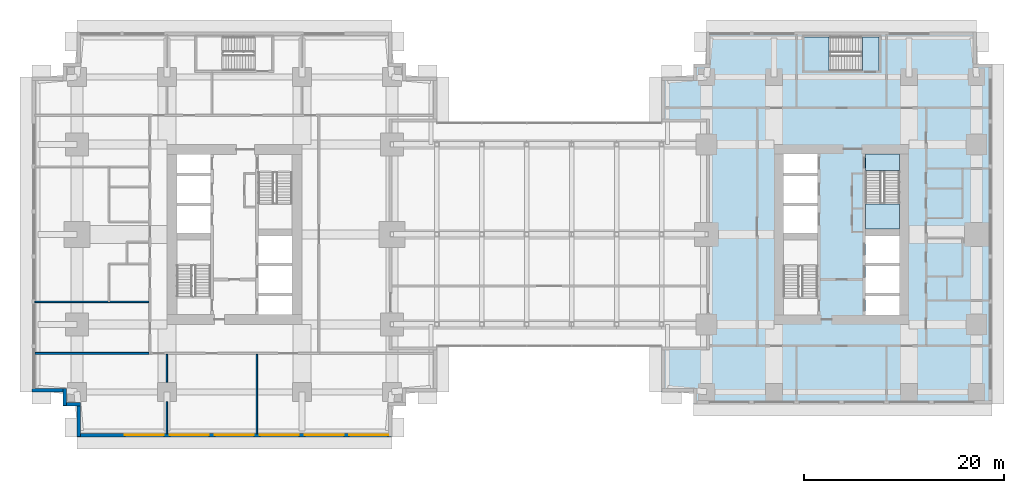
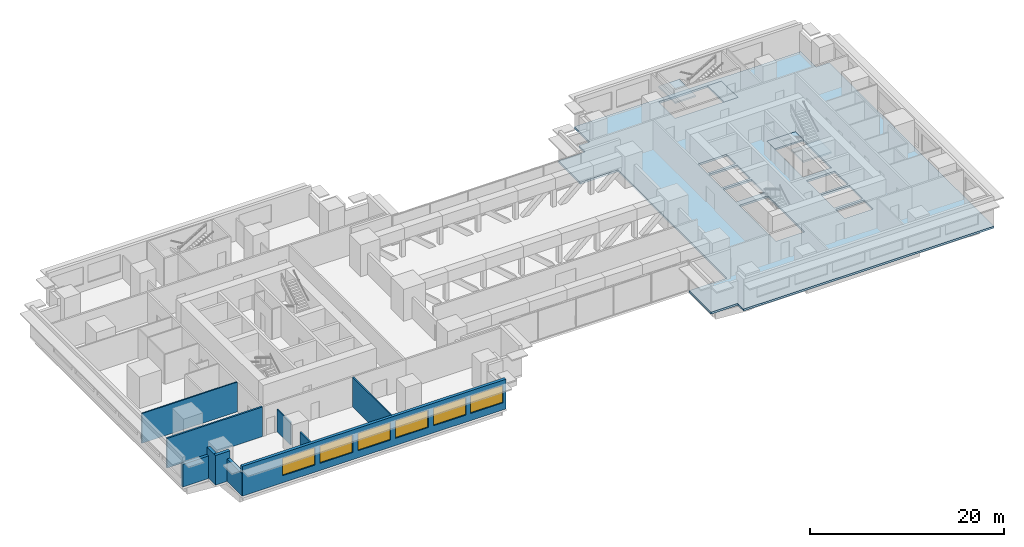
# One storey, part 6 of 15: 10 walls, 6 windows, 5 slabs, 6 openings, 2 elements without a shape of their own.
"""IFC4 building model written with IfcOpenShell, lengths in metres."""

from ifc_helpers import new_model, si_unit, direction, frame, frame_2d, origin, place, context, subcontext, project, spatial, polyline, rectangle, outline, extrude, material, layer, layer_set, type_object, element, fill, aggregate, save


model = new_model("IFC4")

# Units and contexts
model_context = context("Model", 3, precision=1e-05, world=origin(), true_north=direction((0.0, 1.0)))
body_context = subcontext(model_context, "Body", "Model", "MODEL_VIEW")
ifc_project = project(units=[si_unit("LENGTHUNIT", "METRE"), si_unit("AREAUNIT", "SQUARE_METRE"), si_unit("VOLUMEUNIT", "CUBIC_METRE"), si_unit("PLANEANGLEUNIT", "RADIAN"), si_unit("MASSUNIT", "GRAM", prefix="KILO")], contexts=[model_context])

# Site, building, storey
site_placement = place(None, origin())
site = spatial("IfcSite", under=ifc_project, at=site_placement, CompositionType="ELEMENT")
building_placement = place(site_placement, origin())
building = spatial("IfcBuilding", under=site, at=building_placement, Name="Namib Vertical Campus", CompositionType="ELEMENT")
storey_placement = place(building_placement, frame((0.0, 0.0, 105.0)))
storey = spatial("IfcBuildingStorey", under=building, at=storey_placement, Name="L24", CompositionType="ELEMENT", Elevation=105.0)

# Slab
ifc_material_1 = material(Name="Concrete C40/50", Category="concrete")
ifc_layer_1 = layer(ifc_material_1, 0.25)
ifc_layer_set_1 = layer_set([ifc_layer_1], Name="Concrete C40/50")
slab_type_1 = type_object("IfcSlabType", Name="Floor slab 250", PredefinedType="FLOOR", material=ifc_layer_set_1)
slab_1_placement = place(storey_placement, frame((0.0, 0.0, -0.25)))
element("IfcSlab", 1, at=slab_1_placement, inside=storey, type_object=slab_type_1, Name="Floor slab B L24", PredefinedType="FLOOR", context=body_context, shape_type="SweptSolid", body=[
    extrude(outline(polyline([(63.0, 9.0), (63.0, 4.5), (66.199951171875, 4.5), (66.199951171875, 3.300048828125), (96.050048828125, 3.300048828125), (96.050048828125, 37.300048828125), (94.5, 37.300048828125), (94.5, 40.5), (67.5, 40.5), (67.5, 37.300048828125), (66.199951171875, 37.300048828125), (66.199951171875, 36.0), (63.0, 36.0), (63.0, 31.5), (67.5, 31.5), (67.5, 9.0), (63.0, 9.0)]), holes=[polyline([(75.199951171875, 12.199951171875), (78.60009765625, 12.199951171875), (78.60009765625, 19.699951171875), (75.199951171875, 19.699951171875), (75.199951171875, 12.199951171875)]), polyline([(83.39990234375, 20.800048828125), (86.800048828125, 20.800048828125), (86.800048828125, 28.300048828125), (83.39990234375, 28.300048828125), (83.39990234375, 20.800048828125)]), polyline([(83.39990234375, 12.199951171875), (86.800048828125, 12.199951171875), (86.800048828125, 14.10009765625), (83.39990234375, 14.10009765625), (83.39990234375, 12.199951171875)]), polyline([(75.199951171875, 20.39990234375), (78.60009765625, 20.39990234375), (78.60009765625, 23.10009765625), (75.199951171875, 23.10009765625), (75.199951171875, 20.39990234375)]), polyline([(75.199951171875, 23.39990234375), (78.60009765625, 23.39990234375), (78.60009765625, 26.10009765625), (75.199951171875, 26.10009765625), (75.199951171875, 23.39990234375)]), polyline([(75.199951171875, 26.39990234375), (78.60009765625, 26.39990234375), (78.60009765625, 28.300048828125), (75.199951171875, 28.300048828125), (75.199951171875, 26.39990234375)]), polyline([(83.39990234375, 14.39990234375), (86.800048828125, 14.39990234375), (86.800048828125, 17.10009765625), (83.39990234375, 17.10009765625), (83.39990234375, 14.39990234375)]), polyline([(83.39990234375, 17.39990234375), (86.800048828125, 17.39990234375), (86.800048828125, 20.10009765625), (83.39990234375, 20.10009765625), (83.39990234375, 17.39990234375)]), polyline([(77.25, 36.60009765625), (84.75, 36.60009765625), (84.75, 40.0), (77.25, 40.0), (77.25, 36.60009765625)])]), origin(), (0.0, 0.0, 1.0), 0.25),
])

# Stair, slabs
ifc_material_2 = material(Name="Concrete C40/50 precast", Category="concrete")
stair_type = type_object("IfcStairType", Name="Exit stair 4000 rise 24 risers 3400 wide", PredefinedType="HALF_TURN_STAIR", material=ifc_material_2)
stair_1_placement = place(storey_placement, origin())
stair_1 = element("IfcStair", 2, at=stair_1_placement, inside=storey, type_object=stair_type, Name="Exit stair B-S2 L24", PredefinedType="HALF_TURN_STAIR")
ifc_material_3 = material(Name="Concrete C40/50", Category="concrete")
ifc_layer_2 = layer(ifc_material_3, 0.199951171875)
ifc_layer_set_2 = layer_set([ifc_layer_2], Name="Concrete C40/50")
slab_type_2 = type_object("IfcSlabType", Name="Stair landing 200", PredefinedType="LANDING", material=ifc_layer_set_2)
slab_2_placement = place(storey_placement, frame((0.0, 0.0, -0.199951171875)))
slab_2 = element("IfcSlab", 3, at=slab_2_placement, type_object=slab_type_2, Name="B-S2 landing 1", PredefinedType="LANDING", context=body_context, shape_type="SweptSolid", body=[
    extrude(outline(polyline([(83.39990234375, 26.64599609375), (86.800048828125, 26.64599609375), (86.800048828125, 28.300048828125), (83.39990234375, 28.300048828125), (83.39990234375, 26.64599609375)])), origin(), (0.0, 0.0, 1.0), 0.199951171875),
])
slab_3_placement = place(storey_placement, frame((0.0, 0.0, 1.800048828125)))
slab_3 = element("IfcSlab", 4, at=slab_3_placement, type_object=slab_type_2, Name="B-S2 landing 2", PredefinedType="LANDING", context=body_context, shape_type="SweptSolid", body=[
    extrude(outline(polyline([(83.39990234375, 20.800048828125), (86.800048828125, 20.800048828125), (86.800048828125, 23.27392578125), (83.39990234375, 23.27392578125), (83.39990234375, 20.800048828125)])), origin(), (0.0, 0.0, 1.0), 0.199951171875),
])
aggregate(stair_1, [slab_2, slab_3])

stair_2_placement = place(storey_placement, origin())
stair_2 = element("IfcStair", 5, at=stair_2_placement, inside=storey, type_object=stair_type, Name="Exit stair B-S3 L24", PredefinedType="HALF_TURN_STAIR")
slab_4_placement = place(storey_placement, frame((0.0, 0.0, -0.199951171875)))
slab_4 = element("IfcSlab", 6, at=slab_4_placement, type_object=slab_type_2, Name="B-S3 landing 1", PredefinedType="LANDING", context=body_context, shape_type="SweptSolid", body=[
    extrude(outline(polyline([(83.09619140625, 36.60009765625), (83.09619140625, 40.0), (84.75, 40.0), (84.75, 36.60009765625), (83.09619140625, 36.60009765625)])), origin(), (0.0, 0.0, 1.0), 0.199951171875),
])
slab_5_placement = place(storey_placement, frame((0.0, 0.0, 1.800048828125)))
slab_5 = element("IfcSlab", 7, at=slab_5_placement, type_object=slab_type_2, Name="B-S3 landing 2", PredefinedType="LANDING", context=body_context, shape_type="SweptSolid", body=[
    extrude(outline(polyline([(77.25, 36.60009765625), (77.25, 40.0), (79.723876953125, 40.0), (79.723876953125, 36.60009765625), (77.25, 36.60009765625)])), origin(), (0.0, 0.0, 1.0), 0.199951171875),
])
aggregate(stair_2, [slab_4, slab_5])

# Walls
ifc_material_4 = material(Name="Concrete masonry", Category="masonry")
ifc_layer_3 = layer(ifc_material_4, 0.199951171875)
ifc_layer_set_3 = layer_set([ifc_layer_3], Name="Corridor wall 200")
wall_type_1 = type_object("IfcWallType", Name="Corridor wall 200", PredefinedType="SOLIDWALL", material=ifc_layer_set_3)
wall_1_placement = place(storey_placement, frame((0.300048828125, 8.35009765625, 0.0), z_axis=(0.0, 0.0, 1.0), x_axis=(1.0, 0.0, 0.0)))
element("IfcWall", 8, at=wall_1_placement, inside=storey, type_object=wall_type_1, Name="Partition A L24 BSW", PredefinedType="SOLIDWALL", context=body_context, shape_type="SweptSolid", body=[
    extrude(rectangle(XDim=11.39990234375, YDim=0.199951171875, at=frame_2d((5.699951171875, 0.0))), origin(), (0.0, 0.0, 1.0), 3.75),
])
ifc_material_5 = material(Name="Concrete C40/50", Category="concrete")
ifc_layer_4 = layer(ifc_material_5, 0.35009765625)
ifc_layer_set_4 = layer_set([ifc_layer_4], Name="Concrete C40/50")
wall_type_2 = type_object("IfcWallType", Name="External wall 350 bush-hammered concrete", PredefinedType="STANDARD", material=ifc_layer_set_4)
wall_2_placement = place(storey_placement, frame((4.675048828125, 3.429931640625, 0.0), z_axis=(0.0, 0.0, 1.0), x_axis=(0.0, -1.0, 0.0)))
element("IfcWall", 9, at=wall_2_placement, inside=storey, type_object=wall_type_2, Name="External wall L24 F01", PredefinedType="STANDARD", context=body_context, shape_type="SweptSolid", body=[
    extrude(rectangle(XDim=3.409912109375, YDim=0.35009765625, at=frame_2d((1.705078125, 0.0))), origin(), (0.0, 0.0, 1.0), 2.85009765625),
])

# Wall, openings, windows
wall_3_placement = place(storey_placement, frame((4.52001953125, 0.175048828125, 0.0), z_axis=(0.0, 0.0, 1.0), x_axis=(1.0, 0.0, 0.0)))
wall_3 = element("IfcWall", 10, at=wall_3_placement, inside=storey, type_object=wall_type_2, Name="External wall L24 F02", PredefinedType="STANDARD", context=body_context, shape_type="SweptSolid", body=[
    extrude(rectangle(XDim=31.4599609375, YDim=0.35009765625, at=frame_2d((15.72998046875, 0.0))), origin(), (0.0, 0.0, 1.0), 3.75),
])
opening_1_placement = place(wall_3_placement, frame((4.780029296875, 0.0, 0.89990234375)))
opening_1 = element("IfcOpeningElement", 11, at=opening_1_placement, cuts=wall_3, Name="Opening W1", PredefinedType="OPENING", context=body_context, shape_type="SweptSolid", body=[
    extrude(rectangle(XDim=3.89990234375, YDim=2.199951171875, at=frame_2d((1.949951171875, 1.10009765625))), frame((0.0, 0.18505859375, 0.0), z_axis=(0.0, -1.0, 0.0), x_axis=(1.0, 0.0, 0.0)), (0.0, 0.0, 1.0), 0.3701171875),
])
opening_2_placement = place(wall_3_placement, frame((9.280029296875, 0.0, 0.89990234375)))
opening_2 = element("IfcOpeningElement", 12, at=opening_2_placement, cuts=wall_3, Name="Opening W1", PredefinedType="OPENING", context=body_context, shape_type="SweptSolid", body=[
    extrude(rectangle(XDim=3.89990234375, YDim=2.199951171875, at=frame_2d((1.949951171875, 1.10009765625))), frame((0.0, 0.18505859375, 0.0), z_axis=(0.0, -1.0, 0.0), x_axis=(1.0, 0.0, 0.0)), (0.0, 0.0, 1.0), 0.3701171875),
])
opening_3_placement = place(wall_3_placement, frame((13.780029296875, 0.0, 0.89990234375)))
opening_3 = element("IfcOpeningElement", 13, at=opening_3_placement, cuts=wall_3, Name="Opening W1", PredefinedType="OPENING", context=body_context, shape_type="SweptSolid", body=[
    extrude(rectangle(XDim=3.89990234375, YDim=2.199951171875, at=frame_2d((1.949951171875, 1.10009765625))), frame((0.0, 0.18505859375, 0.0), z_axis=(0.0, -1.0, 0.0), x_axis=(1.0, 0.0, 0.0)), (0.0, 0.0, 1.0), 0.3701171875),
])
opening_4_placement = place(wall_3_placement, frame((18.280029296875, 0.0, 0.89990234375)))
opening_4 = element("IfcOpeningElement", 14, at=opening_4_placement, cuts=wall_3, Name="Opening W1", PredefinedType="OPENING", context=body_context, shape_type="SweptSolid", body=[
    extrude(rectangle(XDim=3.89990234375, YDim=2.199951171875, at=frame_2d((1.949951171875, 1.10009765625))), frame((0.0, 0.18505859375, 0.0), z_axis=(0.0, -1.0, 0.0), x_axis=(1.0, 0.0, 0.0)), (0.0, 0.0, 1.0), 0.3701171875),
])
opening_5_placement = place(wall_3_placement, frame((22.780029296875, 0.0, 0.89990234375)))
opening_5 = element("IfcOpeningElement", 15, at=opening_5_placement, cuts=wall_3, Name="Opening W1", PredefinedType="OPENING", context=body_context, shape_type="SweptSolid", body=[
    extrude(rectangle(XDim=3.89990234375, YDim=2.199951171875, at=frame_2d((1.949951171875, 1.10009765625))), frame((0.0, 0.18505859375, 0.0), z_axis=(0.0, -1.0, 0.0), x_axis=(1.0, 0.0, 0.0)), (0.0, 0.0, 1.0), 0.3701171875),
])
opening_6_placement = place(wall_3_placement, frame((27.2099609375, 0.0, 0.89990234375)))
opening_6 = element("IfcOpeningElement", 16, at=opening_6_placement, cuts=wall_3, Name="Opening W1", PredefinedType="OPENING", context=body_context, shape_type="SweptSolid", body=[
    extrude(rectangle(XDim=3.89990234375, YDim=2.199951171875, at=frame_2d((1.949951171875, 1.10009765625))), frame((0.0, 0.18505859375, 0.0), z_axis=(0.0, -1.0, 0.0), x_axis=(1.0, 0.0, 0.0)), (0.0, 0.0, 1.0), 0.3701171875),
])
ifc_material_6 = material(Name="Dark tinted glass in black aluminium frame", Category="aluminium")
window_type = type_object("IfcWindowType", Name="Ribbon window 3900x2200", PartitioningType="SINGLE_PANEL", PredefinedType="WINDOW", material=ifc_material_6)
window_1_placement = place(opening_1_placement, origin())
window_1 = element("IfcWindow", 17, at=window_1_placement, inside=storey, type_object=window_type, Name="Window W1 L24 F02-2", OverallHeight=2.199951171875, OverallWidth=3.89990234375, PartitioningType="SINGLE_PANEL", PredefinedType="WINDOW", context=body_context, shape_type="SweptSolid", body=[
    extrude(rectangle(XDim=3.89990234375, YDim=2.199951171875, at=frame_2d((1.949951171875, 1.10009765625))), frame((0.0, 0.030029296875, 0.0), z_axis=(0.0, -1.0, 0.0), x_axis=(1.0, 0.0, 0.0)), (0.0, 0.0, 1.0), 0.06005859375),
])
fill(opening_1, window_1)
window_2_placement = place(opening_2_placement, origin())
window_2 = element("IfcWindow", 18, at=window_2_placement, inside=storey, type_object=window_type, Name="Window W1 L24 F02-3", OverallHeight=2.199951171875, OverallWidth=3.89990234375, PartitioningType="SINGLE_PANEL", PredefinedType="WINDOW", context=body_context, shape_type="SweptSolid", body=[
    extrude(rectangle(XDim=3.89990234375, YDim=2.199951171875, at=frame_2d((1.949951171875, 1.10009765625))), frame((0.0, 0.030029296875, 0.0), z_axis=(0.0, -1.0, 0.0), x_axis=(1.0, 0.0, 0.0)), (0.0, 0.0, 1.0), 0.06005859375),
])
fill(opening_2, window_2)
window_3_placement = place(opening_3_placement, origin())
window_3 = element("IfcWindow", 19, at=window_3_placement, inside=storey, type_object=window_type, Name="Window W1 L24 F02-4", OverallHeight=2.199951171875, OverallWidth=3.89990234375, PartitioningType="SINGLE_PANEL", PredefinedType="WINDOW", context=body_context, shape_type="SweptSolid", body=[
    extrude(rectangle(XDim=3.89990234375, YDim=2.199951171875, at=frame_2d((1.949951171875, 1.10009765625))), frame((0.0, 0.030029296875, 0.0), z_axis=(0.0, -1.0, 0.0), x_axis=(1.0, 0.0, 0.0)), (0.0, 0.0, 1.0), 0.06005859375),
])
fill(opening_3, window_3)
window_4_placement = place(opening_4_placement, origin())
window_4 = element("IfcWindow", 20, at=window_4_placement, inside=storey, type_object=window_type, Name="Window W1 L24 F02-5", OverallHeight=2.199951171875, OverallWidth=3.89990234375, PartitioningType="SINGLE_PANEL", PredefinedType="WINDOW", context=body_context, shape_type="SweptSolid", body=[
    extrude(rectangle(XDim=3.89990234375, YDim=2.199951171875, at=frame_2d((1.949951171875, 1.10009765625))), frame((0.0, 0.030029296875, 0.0), z_axis=(0.0, -1.0, 0.0), x_axis=(1.0, 0.0, 0.0)), (0.0, 0.0, 1.0), 0.06005859375),
])
fill(opening_4, window_4)
window_5_placement = place(opening_5_placement, origin())
window_5 = element("IfcWindow", 21, at=window_5_placement, inside=storey, type_object=window_type, Name="Window W1 L24 F02-6", OverallHeight=2.199951171875, OverallWidth=3.89990234375, PartitioningType="SINGLE_PANEL", PredefinedType="WINDOW", context=body_context, shape_type="SweptSolid", body=[
    extrude(rectangle(XDim=3.89990234375, YDim=2.199951171875, at=frame_2d((1.949951171875, 1.10009765625))), frame((0.0, 0.030029296875, 0.0), z_axis=(0.0, -1.0, 0.0), x_axis=(1.0, 0.0, 0.0)), (0.0, 0.0, 1.0), 0.06005859375),
])
fill(opening_5, window_5)
window_6_placement = place(opening_6_placement, origin())
window_6 = element("IfcWindow", 22, at=window_6_placement, inside=storey, type_object=window_type, Name="Window W1 L24 F02-7", OverallHeight=2.199951171875, OverallWidth=3.89990234375, PartitioningType="SINGLE_PANEL", PredefinedType="WINDOW", context=body_context, shape_type="SweptSolid", body=[
    extrude(rectangle(XDim=3.89990234375, YDim=2.199951171875, at=frame_2d((1.949951171875, 1.10009765625))), frame((0.0, 0.030029296875, 0.0), z_axis=(0.0, -1.0, 0.0), x_axis=(1.0, 0.0, 0.0)), (0.0, 0.0, 1.0), 0.06005859375),
])
fill(opening_6, window_6)

# Walls
wall_4_placement = place(storey_placement, frame((0.02001953125, 4.675048828125, 0.0), z_axis=(0.0, 0.0, 1.0), x_axis=(1.0, 0.0, 0.0)))
element("IfcWall", 23, at=wall_4_placement, inside=storey, type_object=wall_type_2, Name="External wall L24 F22", PredefinedType="STANDARD", context=body_context, shape_type="SweptSolid", body=[
    extrude(rectangle(XDim=3.409912109375, YDim=0.35009765625, at=frame_2d((1.705078125, 0.0))), origin(), (0.0, 0.0, 1.0), 2.85009765625),
])
for number, where, z_axis, x_axis, name in (
    (24, (3.27490234375, 4.830078125, 0.0), (0.0, 0.0, 1.0), (0.0, -1.0, 0.0), "External wall L24 F23"),
    (25, (3.1201171875, 3.27490234375, 0.0), (0.0, 0.0, 1.0), (1.0, 0.0, 0.0), "External wall L24 F24"),
):
    element("IfcWall", number, at=place(storey_placement, frame(where, z_axis=z_axis, x_axis=x_axis)), inside=storey, type_object=wall_type_2, Name=name, PredefinedType="STANDARD", context=body_context, shape_type="SweptSolid", body=[
        extrude(rectangle(XDim=1.7099609375, YDim=0.35009765625, at=frame_2d((0.85498046875, 0.0))), origin(), (0.0, 0.0, 1.0), 3.75),
    ])
ifc_material_7 = material(Name="Gypsum board on steel studs", Category="steel")
ifc_layer_5 = layer(ifc_material_7, 0.14990234375)
ifc_layer_set_5 = layer_set([ifc_layer_5], Name="Gypsum board on steel studs")
wall_type_3 = type_object("IfcWallType", Name="Partition 150", PredefinedType="PARTITIONING", material=ifc_layer_set_5)
wall_5_placement = place(storey_placement, frame((13.5, 0.300048828125, 0.0), z_axis=(0.0, 0.0, 1.0), x_axis=(0.0, 1.0, 0.0)))
element("IfcWall", 26, at=wall_5_placement, inside=storey, type_object=wall_type_3, Name="Partition A L24 PS1", PredefinedType="PARTITIONING", context=body_context, shape_type="SweptSolid", body=[
    extrude(rectangle(XDim=3.22998046875, YDim=0.14990234375, at=frame_2d((1.614990234375, 0.0))), origin(), (0.0, 0.0, 1.0), 2.85009765625),
])
wall_6_placement = place(storey_placement, frame((13.5, 5.469970703125, 0.0), z_axis=(0.0, 0.0, 1.0), x_axis=(0.0, 1.0, 0.0)))
element("IfcWall", 27, at=wall_6_placement, inside=storey, type_object=wall_type_3, Name="Partition A L24 PS1", PredefinedType="PARTITIONING", context=body_context, shape_type="SweptSolid", body=[
    extrude(rectangle(XDim=2.780029296875, YDim=0.14990234375, at=frame_2d((1.39013671875, 0.0))), origin(), (0.0, 0.0, 1.0), 2.85009765625),
])
wall_7_placement = place(storey_placement, frame((22.5, 0.300048828125, 0.0), z_axis=(0.0, 0.0, 1.0), x_axis=(0.0, 1.0, 0.0)))
element("IfcWall", 28, at=wall_7_placement, inside=storey, type_object=wall_type_3, Name="Partition A L24 PS2", PredefinedType="PARTITIONING", context=body_context, shape_type="SweptSolid", body=[
    extrude(rectangle(XDim=7.949951171875, YDim=0.14990234375, at=frame_2d((3.97509765625, 0.0))), origin(), (0.0, 0.0, 1.0), 3.75),
])
wall_8_placement = place(storey_placement, frame((0.300048828125, 13.5, 0.0), z_axis=(0.0, 0.0, 1.0), x_axis=(1.0, 0.0, 0.0)))
element("IfcWall", 29, at=wall_8_placement, inside=storey, type_object=wall_type_3, Name="Partition A L24 PW1", PredefinedType="PARTITIONING", context=body_context, shape_type="SweptSolid", body=[
    extrude(rectangle(XDim=11.39990234375, YDim=0.14990234375, at=frame_2d((5.699951171875, 0.0))), origin(), (0.0, 0.0, 1.0), 3.75),
])

save(model, "model.ifc")
